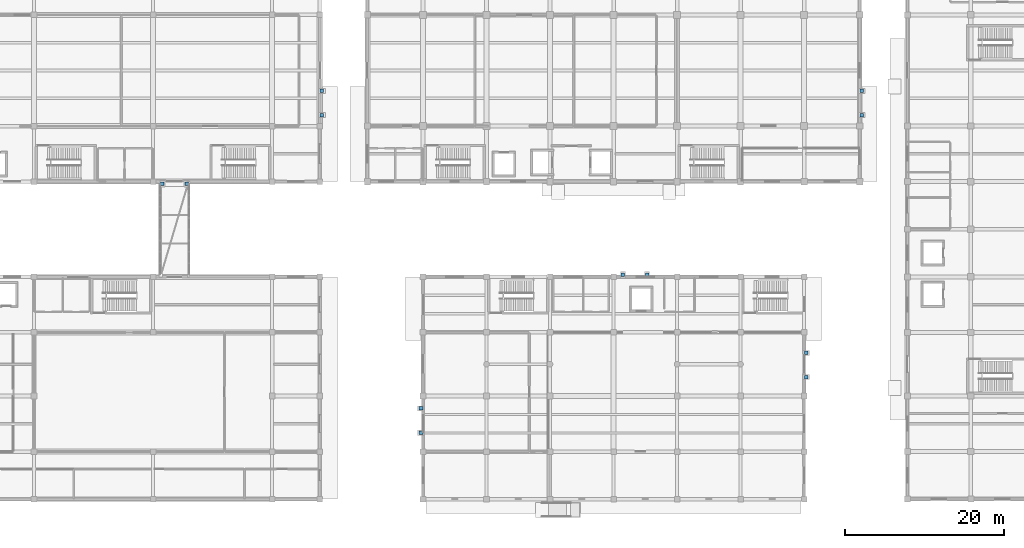
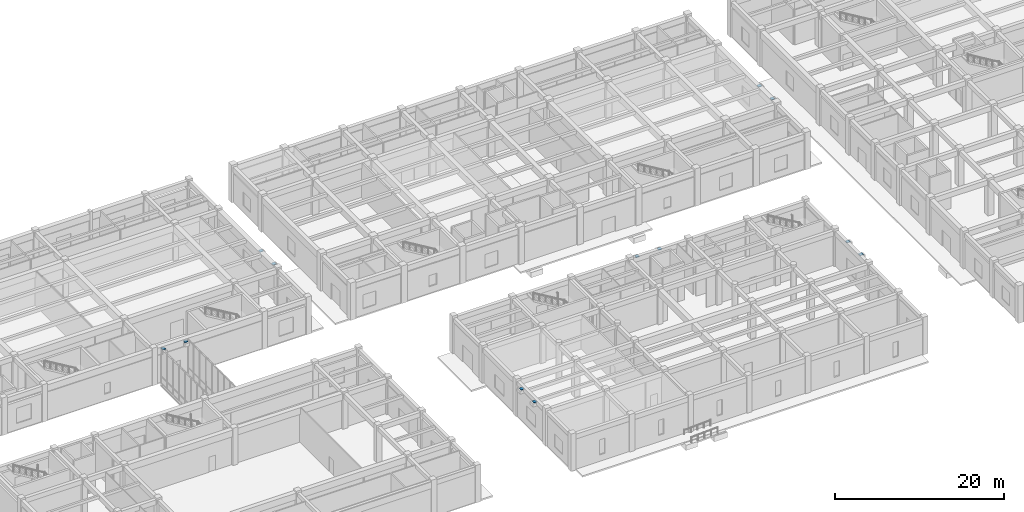
# One storey, part 32 of 40: 12 discrete accessories.
"""IFC4 building model written with IfcOpenShell, lengths in metres."""

from ifc_helpers import new_model, si_unit, direction, frame, origin, origin_2d, place, context, subcontext, project, spatial, rectangle, extrude, material, type_object, element, save


model = new_model("IFC4")

# Units and contexts
model_context = context("Model", 3, precision=1e-05, world=origin(), true_north=direction((0.0, 1.0)))
body_context = subcontext(model_context, "Body", "Model", "MODEL_VIEW")
ifc_project = project(units=[si_unit("LENGTHUNIT", "METRE"), si_unit("AREAUNIT", "SQUARE_METRE"), si_unit("VOLUMEUNIT", "CUBIC_METRE"), si_unit("PLANEANGLEUNIT", "RADIAN"), si_unit("MASSUNIT", "GRAM", prefix="KILO")], contexts=[model_context])

# Site, building, storey
site_placement = place(None, origin())
site = spatial("IfcSite", under=ifc_project, at=site_placement, CompositionType="ELEMENT")
building_placement = place(site_placement, origin())
building = spatial("IfcBuilding", under=site, at=building_placement, Name="Naurynzar Civic Courthouse", CompositionType="ELEMENT")
storey_placement = place(building_placement, origin())
storey = spatial("IfcBuildingStorey", under=building, at=storey_placement, Name="L01", CompositionType="ELEMENT", Elevation=0.0)

# Discrete accessories
ifc_material = material(Name="Steel S355", Category="steel")
discrete_accessory_type = type_object("IfcDiscreteAccessoryType", Name="BRG-PTFE-450", PredefinedType="SHOE", material=ifc_material)
for number, where, z_axis, x_axis, name in (
    (1, (36.169921875, 43.75, 4.75), (0.0, 0.0, 1.0), (1.0, 0.0, 0.0), "BR-W1 unguided PTFE sliding bearing L02.1"),
    (2, (39.22998046875, 43.75, 4.75), (0.0, 0.0, 1.0), (1.0, 0.0, 0.0), "BR-W1 unguided PTFE sliding bearing L02.2"),
    (3, (56.25, 52.3701171875, 4.75), (0.0, 0.0, 1.0), (1.0, 0.0, 0.0), "BR-N1 unguided PTFE sliding bearing L02.1"),
    (4, (56.25, 55.429931640625, 4.75), (0.0, 0.0, 1.0), (1.0, 0.0, 0.0), "BR-N1 unguided PTFE sliding bearing L02.2"),
    (5, (94.169921875, 32.25, 4.75), (0.0, 0.0, 1.0), (1.0, 0.0, 0.0), "BR-C1 unguided PTFE sliding bearing L02.1"),
    (6, (97.22998046875, 32.25, 4.75), (0.0, 0.0, 1.0), (1.0, 0.0, 0.0), "BR-C1 unguided PTFE sliding bearing L02.2"),
    (7, (68.75, 12.3701171875, 4.75), (0.0, 0.0, 1.0), (1.0, 0.0, 0.0), "BR-S1 unguided PTFE sliding bearing L02.1"),
    (8, (68.75, 15.429931640625, 4.75), (0.0, 0.0, 1.0), (1.0, 0.0, 0.0), "BR-S1 unguided PTFE sliding bearing L02.2"),
    (9, (124.25, 52.3701171875, 4.75), (0.0, 0.0, 1.0), (1.0, 0.0, 0.0), "BR-E1 unguided PTFE sliding bearing L02.1"),
    (10, (124.25, 55.429931640625, 4.75), (0.0, 0.0, 1.0), (1.0, 0.0, 0.0), "BR-E1 unguided PTFE sliding bearing L02.2"),
    (11, (117.25, 19.3701171875, 4.75), (0.0, 0.0, 1.0), (1.0, 0.0, 0.0), "BR-E2 unguided PTFE sliding bearing L02.1"),
    (12, (117.25, 22.429931640625, 4.75), (0.0, 0.0, 1.0), (1.0, 0.0, 0.0), "BR-E2 unguided PTFE sliding bearing L02.2"),
):
    element("IfcDiscreteAccessory", number, at=place(storey_placement, frame(where, z_axis=z_axis, x_axis=x_axis)), inside=storey, type_object=discrete_accessory_type, Name=name, PredefinedType="SHOE", context=body_context, shape_type="SweptSolid", body=[
        extrude(rectangle(XDim=0.449951171875, YDim=0.449951171875, at=origin_2d()), origin(), (0.0, 0.0, 1.0), 0.080078125),
    ])

save(model, "model.ifc")
